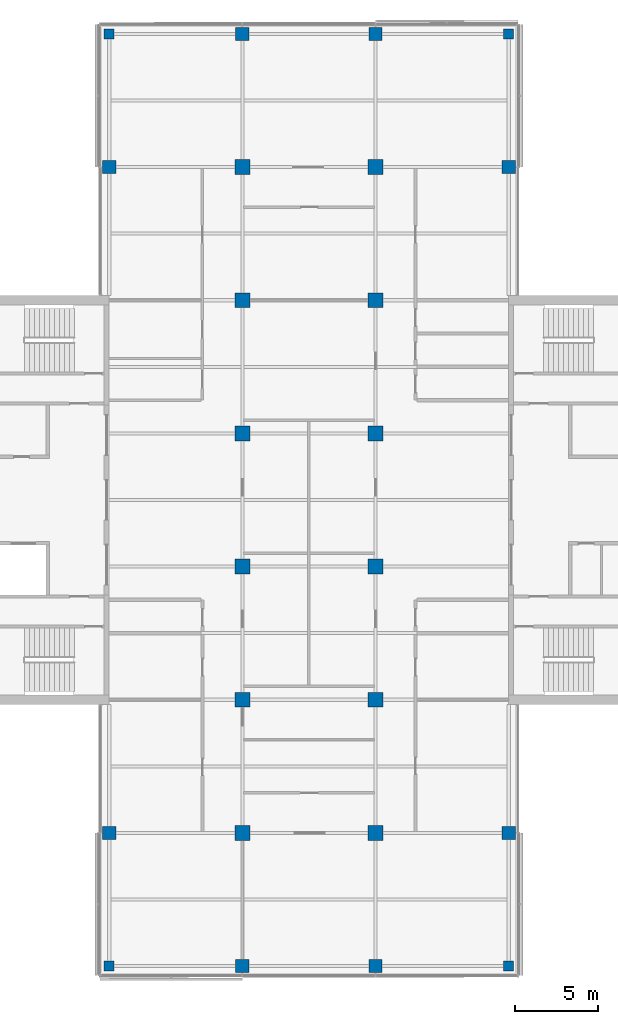
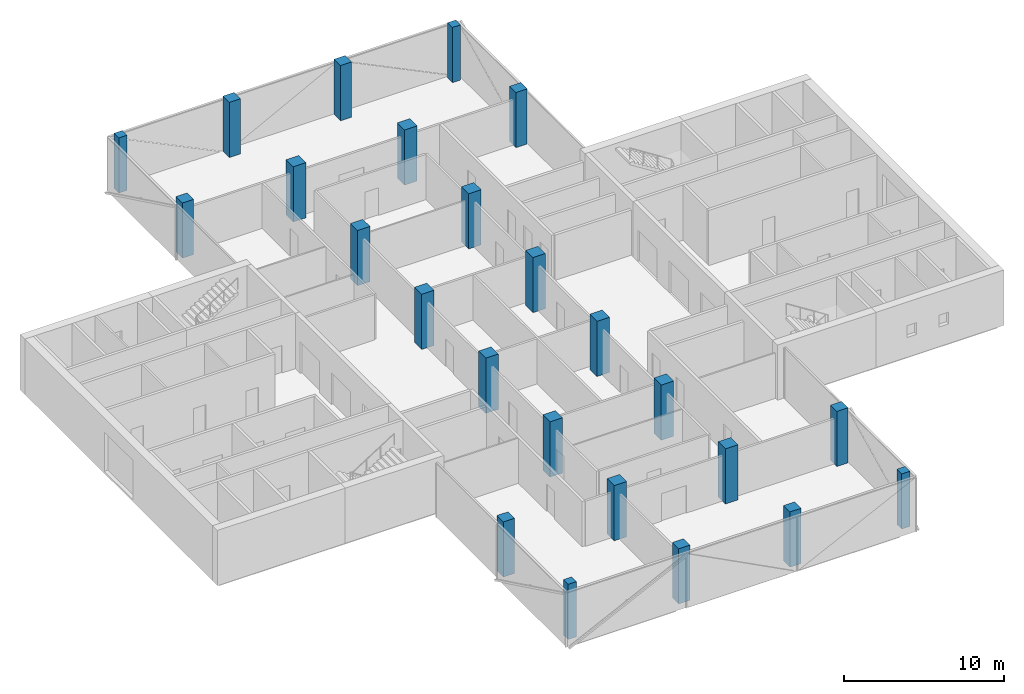
# One storey, part 1 of 16: 24 columns.
"""IFC4 building model written with IfcOpenShell, lengths in metres."""

from ifc_helpers import new_model, si_unit, direction, frame, origin, origin_2d, place, context, subcontext, project, spatial, rectangle, extrude, material, material_profile, profile_set, type_object, element, save


model = new_model("IFC4")

# Units and contexts
model_context = context("Model", 3, precision=1e-05, world=origin(), true_north=direction((0.0, 1.0)))
body_context = subcontext(model_context, "Body", "Model", "MODEL_VIEW")
ifc_project = project(units=[si_unit("LENGTHUNIT", "METRE"), si_unit("AREAUNIT", "SQUARE_METRE"), si_unit("VOLUMEUNIT", "CUBIC_METRE"), si_unit("PLANEANGLEUNIT", "RADIAN"), si_unit("MASSUNIT", "GRAM", prefix="KILO")], contexts=[model_context])

# Site, building, storey
site_placement = place(None, origin())
site = spatial("IfcSite", under=ifc_project, at=site_placement, CompositionType="ELEMENT")
building_placement = place(site_placement, origin())
building = spatial("IfcBuilding", under=site, at=building_placement, Name="Crosswind Convention Tower", CompositionType="ELEMENT")
storey_placement = place(building_placement, frame((0.0, 0.0, 208.300048828125)))
storey = spatial("IfcBuildingStorey", under=building, at=storey_placement, Name="L44", CompositionType="ELEMENT", Elevation=208.300048828125)

# Columns
ifc_material = material(Name="Concrete C60/75", Category="concrete")
ifc_material_profile_1 = material_profile(ifc_material, rectangle(XDim=0.60009765625, YDim=0.60009765625, at=origin_2d()), Name="RC 600X600")
ifc_profile_set_1 = profile_set([ifc_material_profile_1], Name="Concrete C60/75")
column_type_1 = type_object("IfcColumnType", Name="Column RC 600X600", PredefinedType="COLUMN", material=ifc_profile_set_1)
for number, where, z_axis, x_axis, name in (
    (1, (113.0, 72.0, 0.0), (0.0, 0.0, 1.0), (1.0, 0.0, 0.0), "C16 L44 5/C"),
    (2, (113.0, 128.0, 0.0), (0.0, 0.0, 1.0), (1.0, 0.0, 0.0), "C16 L44 5/J"),
    (3, (137.0, 72.0, 0.0), (0.0, 0.0, 1.0), (1.0, 0.0, 0.0), "C16 L44 8/C"),
    (4, (137.0, 128.0, 0.0), (0.0, 0.0, 1.0), (1.0, 0.0, 0.0), "C16 L44 8/J"),
):
    element("IfcColumn", number, at=place(storey_placement, frame(where, z_axis=z_axis, x_axis=x_axis)), inside=storey, type_object=column_type_1, Name=name, PredefinedType="COLUMN", context=body_context, shape_type="SweptSolid", body=[
        extrude(rectangle(XDim=0.60009765625, YDim=0.60009765625, at=origin_2d()), origin(), (0.0, 0.0, 1.0), 4.199951171875),
    ])
ifc_material_profile_2 = material_profile(ifc_material, rectangle(XDim=0.800048828125, YDim=0.800048828125, at=origin_2d()), Name="RC 800X800")
ifc_profile_set_2 = profile_set([ifc_material_profile_2], Name="Concrete C60/75")
column_type_2 = type_object("IfcColumnType", Name="Column RC 800X800", PredefinedType="COLUMN", material=ifc_profile_set_2)
for number, where, z_axis, x_axis, name in (
    (5, (113.0, 80.0, 0.0), (0.0, 0.0, 1.0), (1.0, 0.0, 0.0), "C14 L44 5/D"),
    (6, (113.0, 120.0, 0.0), (0.0, 0.0, 1.0), (1.0, 0.0, 0.0), "C14 L44 5/I"),
    (7, (121.0, 72.0, 0.0), (0.0, 0.0, 1.0), (1.0, 0.0, 0.0), "C14 L44 6/C"),
    (8, (121.0, 128.0, 0.0), (0.0, 0.0, 1.0), (1.0, 0.0, 0.0), "C14 L44 6/J"),
    (9, (129.0, 72.0, 0.0), (0.0, 0.0, 1.0), (1.0, 0.0, 0.0), "C14 L44 7/C"),
    (10, (129.0, 128.0, 0.0), (0.0, 0.0, 1.0), (1.0, 0.0, 0.0), "C14 L44 7/J"),
    (11, (137.0, 80.0, 0.0), (0.0, 0.0, 1.0), (1.0, 0.0, 0.0), "C14 L44 8/D"),
    (12, (137.0, 120.0, 0.0), (0.0, 0.0, 1.0), (1.0, 0.0, 0.0), "C14 L44 8/I"),
):
    element("IfcColumn", number, at=place(storey_placement, frame(where, z_axis=z_axis, x_axis=x_axis)), inside=storey, type_object=column_type_2, Name=name, PredefinedType="COLUMN", context=body_context, shape_type="SweptSolid", body=[
        extrude(rectangle(XDim=0.800048828125, YDim=0.800048828125, at=origin_2d()), origin(), (0.0, 0.0, 1.0), 4.199951171875),
    ])
ifc_material_profile_3 = material_profile(ifc_material, rectangle(XDim=0.89990234375, YDim=0.89990234375, at=origin_2d()), Name="RC 900X900")
ifc_profile_set_3 = profile_set([ifc_material_profile_3], Name="Concrete C60/75")
column_type_3 = type_object("IfcColumnType", Name="Column RC 900X900", PredefinedType="COLUMN", material=ifc_profile_set_3)
for number, where, z_axis, x_axis, name in (
    (13, (121.0, 80.0, 0.0), (0.0, 0.0, 1.0), (1.0, 0.0, 0.0), "C13 L44 6/D"),
    (14, (121.0, 88.0, 0.0), (0.0, 0.0, 1.0), (1.0, 0.0, 0.0), "C13 L44 6/E"),
    (15, (121.0, 96.0, 0.0), (0.0, 0.0, 1.0), (1.0, 0.0, 0.0), "C13 L44 6/F"),
    (16, (121.0, 104.0, 0.0), (0.0, 0.0, 1.0), (1.0, 0.0, 0.0), "C13 L44 6/G"),
    (17, (121.0, 112.0, 0.0), (0.0, 0.0, 1.0), (1.0, 0.0, 0.0), "C13 L44 6/H"),
    (18, (121.0, 120.0, 0.0), (0.0, 0.0, 1.0), (1.0, 0.0, 0.0), "C13 L44 6/I"),
    (19, (129.0, 80.0, 0.0), (0.0, 0.0, 1.0), (1.0, 0.0, 0.0), "C13 L44 7/D"),
    (20, (129.0, 88.0, 0.0), (0.0, 0.0, 1.0), (1.0, 0.0, 0.0), "C13 L44 7/E"),
    (21, (129.0, 96.0, 0.0), (0.0, 0.0, 1.0), (1.0, 0.0, 0.0), "C13 L44 7/F"),
    (22, (129.0, 104.0, 0.0), (0.0, 0.0, 1.0), (1.0, 0.0, 0.0), "C13 L44 7/G"),
    (23, (129.0, 112.0, 0.0), (0.0, 0.0, 1.0), (1.0, 0.0, 0.0), "C13 L44 7/H"),
    (24, (129.0, 120.0, 0.0), (0.0, 0.0, 1.0), (1.0, 0.0, 0.0), "C13 L44 7/I"),
):
    element("IfcColumn", number, at=place(storey_placement, frame(where, z_axis=z_axis, x_axis=x_axis)), inside=storey, type_object=column_type_3, Name=name, PredefinedType="COLUMN", context=body_context, shape_type="SweptSolid", body=[
        extrude(rectangle(XDim=0.89990234375, YDim=0.89990234375, at=origin_2d()), origin(), (0.0, 0.0, 1.0), 4.199951171875),
    ])

save(model, "model.ifc")
